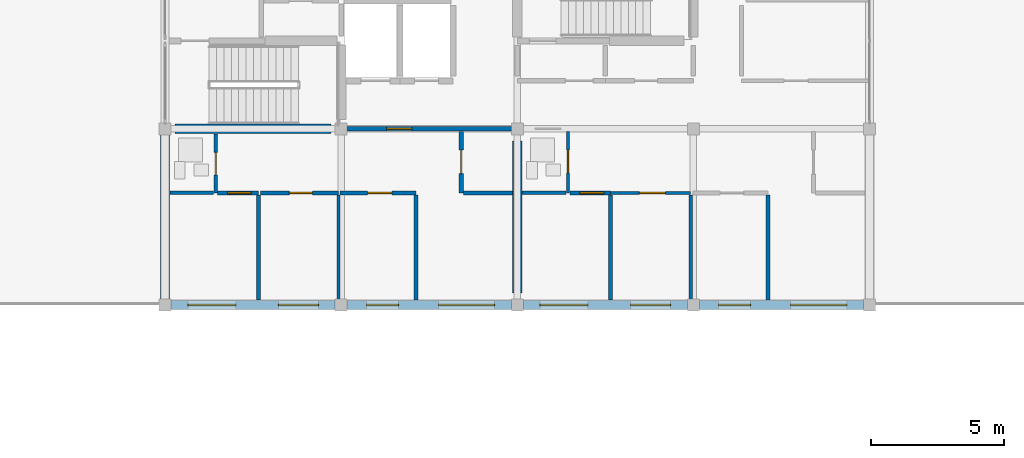
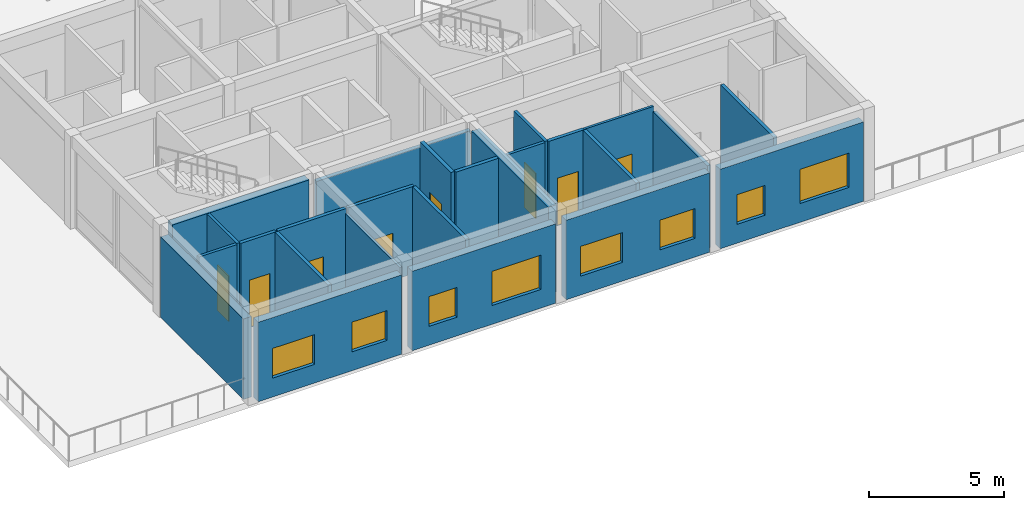
# One storey, part 63 of 92: 25 walls, 9 doors, 8 windows, 17 openings.
"""IFC4 building model written with IfcOpenShell, lengths in metres."""

from ifc_helpers import new_model, si_unit, direction, frame, frame_2d, origin, place, context, subcontext, project, spatial, rectangle, extrude, material, layer, layer_set, type_object, element, fill, save


model = new_model("IFC4")

# Units and contexts
model_context = context("Model", 3, precision=1e-05, world=origin(), true_north=direction((0.0, 1.0)))
body_context = subcontext(model_context, "Body", "Model", "MODEL_VIEW")
ifc_project = project(units=[si_unit("LENGTHUNIT", "METRE"), si_unit("AREAUNIT", "SQUARE_METRE"), si_unit("VOLUMEUNIT", "CUBIC_METRE"), si_unit("PLANEANGLEUNIT", "RADIAN"), si_unit("MASSUNIT", "GRAM", prefix="KILO")], contexts=[model_context])

# Site, building, storey
site_placement = place(None, origin())
site = spatial("IfcSite", under=ifc_project, at=site_placement, CompositionType="ELEMENT")
building_placement = place(site_placement, origin())
building = spatial("IfcBuilding", under=site, at=building_placement, Name="Kernevlak Ridge Housing Community", CompositionType="ELEMENT")
storey_placement = place(building_placement, frame((0.0, 0.0, 4.199951171875)))
storey = spatial("IfcBuildingStorey", under=building, at=storey_placement, Name="L01", CompositionType="ELEMENT", Elevation=4.199951171875)

# Wall, openings, windows
ifc_material_1 = material(Name="Concrete block masonry M10", Category="masonry")
ifc_layer_1 = layer(ifc_material_1, 0.340087890625, Name="Concrete block masonry M10")
ifc_layer_set_1 = layer_set([ifc_layer_1], Name="Concrete block masonry M10")
wall_type_1 = type_object("IfcWallType", Name="EW-04", PredefinedType="STANDARD", material=ifc_layer_set_1)
wall_1_placement = place(storey_placement, frame((15.824951171875, 15.60009765625, 0.0), z_axis=(0.0, 0.0, 1.0), x_axis=(1.0, 0.0, 0.0)))
wall_1 = element("IfcWall", 1, at=wall_1_placement, inside=storey, type_object=wall_type_1, Name="Exterior wall EW-04 L01 727", PredefinedType="STANDARD", context=body_context, shape_type="SweptSolid", body=[
    extrude(rectangle(XDim=6.150146484375, YDim=0.340087890625, at=frame_2d((3.0751953125, 0.0))), origin(), (0.0, 0.0, 1.0), 3.60009765625),
])
opening_1_placement = place(wall_1_placement, frame((0.625, 0.0, 0.85009765625)))
opening_1 = element("IfcOpeningElement", 2, at=opening_1_placement, cuts=wall_1, Name="Opening WT-03", PredefinedType="OPENING", context=body_context, shape_type="SweptSolid", body=[
    extrude(rectangle(XDim=1.800048828125, YDim=1.35009765625, at=frame_2d((0.89990234375, 0.675048828125))), frame((0.0, 0.179931640625, 0.0), z_axis=(0.0, -1.0, 0.0), x_axis=(1.0, 0.0, 0.0)), (0.0, 0.0, 1.0), 0.360107421875),
])
opening_2_placement = place(wall_1_placement, frame((4.02490234375, 0.0, 0.85009765625)))
opening_2 = element("IfcOpeningElement", 3, at=opening_2_placement, cuts=wall_1, Name="Opening WT-02", PredefinedType="OPENING", context=body_context, shape_type="SweptSolid", body=[
    extrude(rectangle(XDim=1.5, YDim=1.35009765625, at=frame_2d((0.75, 0.675048828125))), frame((0.0, 0.179931640625, 0.0), z_axis=(0.0, -1.0, 0.0), x_axis=(1.0, 0.0, 0.0)), (0.0, 0.0, 1.0), 0.360107421875),
])
ifc_material_2 = material(Name="Aluminium EN AW-6060 anodised and laminated glass", Category="aluminium")
window_type_1 = type_object("IfcWindowType", Name="WT-02", PartitioningType="SINGLE_PANEL", PredefinedType="WINDOW", material=ifc_material_2)
window_1_placement = place(opening_2_placement, origin())
window_1 = element("IfcWindow", 4, at=window_1_placement, inside=storey, type_object=window_type_1, Name="Window WT-02 L01 591", OverallHeight=1.35009765625, OverallWidth=1.5, PartitioningType="SINGLE_PANEL", PredefinedType="WINDOW", context=body_context, shape_type="SweptSolid", body=[
    extrude(rectangle(XDim=1.5, YDim=1.35009765625, at=frame_2d((0.75, 0.675048828125))), frame((0.0, 0.030029296875, 0.0), z_axis=(0.0, -1.0, 0.0), x_axis=(1.0, 0.0, 0.0)), (0.0, 0.0, 1.0), 0.06005859375),
])
fill(opening_2, window_1)
window_type_2 = type_object("IfcWindowType", Name="WT-03", PartitioningType="SINGLE_PANEL", PredefinedType="WINDOW", material=ifc_material_2)
window_2_placement = place(opening_1_placement, origin())
window_2 = element("IfcWindow", 5, at=window_2_placement, inside=storey, type_object=window_type_2, Name="Window WT-03 L01 590", OverallHeight=1.35009765625, OverallWidth=1.800048828125, PartitioningType="SINGLE_PANEL", PredefinedType="WINDOW", context=body_context, shape_type="SweptSolid", body=[
    extrude(rectangle(XDim=1.800048828125, YDim=1.35009765625, at=frame_2d((0.89990234375, 0.675048828125))), frame((0.0, 0.030029296875, 0.0), z_axis=(0.0, -1.0, 0.0), x_axis=(1.0, 0.0, 0.0)), (0.0, 0.0, 1.0), 0.06005859375),
])
fill(opening_1, window_2)

wall_2_placement = place(storey_placement, frame((22.425048828125, 15.60009765625, 0.0), z_axis=(0.0, 0.0, 1.0), x_axis=(1.0, 0.0, 0.0)))
wall_2 = element("IfcWall", 6, at=wall_2_placement, inside=storey, type_object=wall_type_1, Name="Exterior wall EW-04 L01 728", PredefinedType="STANDARD", context=body_context, shape_type="SweptSolid", body=[
    extrude(rectangle(XDim=6.14990234375, YDim=0.340087890625, at=frame_2d((3.074951171875, 0.0))), origin(), (0.0, 0.0, 1.0), 3.60009765625),
])
opening_3_placement = place(wall_2_placement, frame((0.72509765625, 0.0, 0.85009765625)))
opening_3 = element("IfcOpeningElement", 7, at=opening_3_placement, cuts=wall_2, Name="Opening WT-01", PredefinedType="OPENING", context=body_context, shape_type="SweptSolid", body=[
    extrude(rectangle(XDim=1.199951171875, YDim=1.35009765625, at=frame_2d((0.60009765625, 0.675048828125))), frame((0.0, 0.179931640625, 0.0), z_axis=(0.0, -1.0, 0.0), x_axis=(1.0, 0.0, 0.0)), (0.0, 0.0, 1.0), 0.360107421875),
])
opening_4_placement = place(wall_2_placement, frame((3.425048828125, 0.0, 0.85009765625)))
opening_4 = element("IfcOpeningElement", 8, at=opening_4_placement, cuts=wall_2, Name="Opening WT-05", PredefinedType="OPENING", context=body_context, shape_type="SweptSolid", body=[
    extrude(rectangle(XDim=2.10009765625, YDim=1.550048828125, at=frame_2d((1.050048828125, 0.77490234375))), frame((0.0, 0.179931640625, 0.0), z_axis=(0.0, -1.0, 0.0), x_axis=(1.0, 0.0, 0.0)), (0.0, 0.0, 1.0), 0.360107421875),
])
window_type_3 = type_object("IfcWindowType", Name="WT-01", PartitioningType="SINGLE_PANEL", PredefinedType="WINDOW", material=ifc_material_2)
window_3_placement = place(opening_3_placement, origin())
window_3 = element("IfcWindow", 9, at=window_3_placement, inside=storey, type_object=window_type_3, Name="Window WT-01 L01 592", OverallHeight=1.35009765625, OverallWidth=1.199951171875, PartitioningType="SINGLE_PANEL", PredefinedType="WINDOW", context=body_context, shape_type="SweptSolid", body=[
    extrude(rectangle(XDim=1.199951171875, YDim=1.35009765625, at=frame_2d((0.60009765625, 0.675048828125))), frame((0.0, 0.030029296875, 0.0), z_axis=(0.0, -1.0, 0.0), x_axis=(1.0, 0.0, 0.0)), (0.0, 0.0, 1.0), 0.06005859375),
])
fill(opening_3, window_3)
window_type_4 = type_object("IfcWindowType", Name="WT-05", PartitioningType="SINGLE_PANEL", PredefinedType="WINDOW", material=ifc_material_2)
window_4_placement = place(opening_4_placement, origin())
window_4 = element("IfcWindow", 10, at=window_4_placement, inside=storey, type_object=window_type_4, Name="Window WT-05 L01 593", OverallHeight=1.550048828125, OverallWidth=2.10009765625, PartitioningType="SINGLE_PANEL", PredefinedType="WINDOW", context=body_context, shape_type="SweptSolid", body=[
    extrude(rectangle(XDim=2.10009765625, YDim=1.550048828125, at=frame_2d((1.050048828125, 0.77490234375))), frame((0.0, 0.030029296875, 0.0), z_axis=(0.0, -1.0, 0.0), x_axis=(1.0, 0.0, 0.0)), (0.0, 0.0, 1.0), 0.06005859375),
])
fill(opening_4, window_4)

wall_3_placement = place(storey_placement, frame((29.02490234375, 15.60009765625, 0.0), z_axis=(0.0, 0.0, 1.0), x_axis=(1.0, 0.0, 0.0)))
wall_3 = element("IfcWall", 11, at=wall_3_placement, inside=storey, type_object=wall_type_1, Name="Exterior wall EW-04 L01 729", PredefinedType="STANDARD", context=body_context, shape_type="SweptSolid", body=[
    extrude(rectangle(XDim=6.150146484375, YDim=0.340087890625, at=frame_2d((3.0751953125, 0.0))), origin(), (0.0, 0.0, 1.0), 3.60009765625),
])
opening_5_placement = place(wall_3_placement, frame((0.625, 0.0, 0.85009765625)))
opening_5 = element("IfcOpeningElement", 12, at=opening_5_placement, cuts=wall_3, Name="Opening WT-03", PredefinedType="OPENING", context=body_context, shape_type="SweptSolid", body=[
    extrude(rectangle(XDim=1.800048828125, YDim=1.35009765625, at=frame_2d((0.89990234375, 0.675048828125))), frame((0.0, 0.179931640625, 0.0), z_axis=(0.0, -1.0, 0.0), x_axis=(1.0, 0.0, 0.0)), (0.0, 0.0, 1.0), 0.360107421875),
])
opening_6_placement = place(wall_3_placement, frame((4.02490234375, 0.0, 0.85009765625)))
opening_6 = element("IfcOpeningElement", 13, at=opening_6_placement, cuts=wall_3, Name="Opening WT-02", PredefinedType="OPENING", context=body_context, shape_type="SweptSolid", body=[
    extrude(rectangle(XDim=1.5, YDim=1.35009765625, at=frame_2d((0.75, 0.675048828125))), frame((0.0, 0.179931640625, 0.0), z_axis=(0.0, -1.0, 0.0), x_axis=(1.0, 0.0, 0.0)), (0.0, 0.0, 1.0), 0.360107421875),
])
window_5_placement = place(opening_6_placement, origin())
window_5 = element("IfcWindow", 14, at=window_5_placement, inside=storey, type_object=window_type_1, Name="Window WT-02 L01 595", OverallHeight=1.35009765625, OverallWidth=1.5, PartitioningType="SINGLE_PANEL", PredefinedType="WINDOW", context=body_context, shape_type="SweptSolid", body=[
    extrude(rectangle(XDim=1.5, YDim=1.35009765625, at=frame_2d((0.75, 0.675048828125))), frame((0.0, 0.030029296875, 0.0), z_axis=(0.0, -1.0, 0.0), x_axis=(1.0, 0.0, 0.0)), (0.0, 0.0, 1.0), 0.06005859375),
])
fill(opening_6, window_5)
window_6_placement = place(opening_5_placement, origin())
window_6 = element("IfcWindow", 15, at=window_6_placement, inside=storey, type_object=window_type_2, Name="Window WT-03 L01 594", OverallHeight=1.35009765625, OverallWidth=1.800048828125, PartitioningType="SINGLE_PANEL", PredefinedType="WINDOW", context=body_context, shape_type="SweptSolid", body=[
    extrude(rectangle(XDim=1.800048828125, YDim=1.35009765625, at=frame_2d((0.89990234375, 0.675048828125))), frame((0.0, 0.030029296875, 0.0), z_axis=(0.0, -1.0, 0.0), x_axis=(1.0, 0.0, 0.0)), (0.0, 0.0, 1.0), 0.06005859375),
])
fill(opening_5, window_6)

wall_4_placement = place(storey_placement, frame((35.625, 15.60009765625, 0.0), z_axis=(0.0, 0.0, 1.0), x_axis=(1.0, 0.0, 0.0)))
wall_4 = element("IfcWall", 16, at=wall_4_placement, inside=storey, type_object=wall_type_1, Name="Exterior wall EW-04 L01 730", PredefinedType="STANDARD", context=body_context, shape_type="SweptSolid", body=[
    extrude(rectangle(XDim=6.14990234375, YDim=0.340087890625, at=frame_2d((3.074951171875, 0.0))), origin(), (0.0, 0.0, 1.0), 3.60009765625),
])
opening_7_placement = place(wall_4_placement, frame((0.72509765625, 0.0, 0.85009765625)))
opening_7 = element("IfcOpeningElement", 17, at=opening_7_placement, cuts=wall_4, Name="Opening WT-01", PredefinedType="OPENING", context=body_context, shape_type="SweptSolid", body=[
    extrude(rectangle(XDim=1.199951171875, YDim=1.35009765625, at=frame_2d((0.60009765625, 0.675048828125))), frame((0.0, 0.179931640625, 0.0), z_axis=(0.0, -1.0, 0.0), x_axis=(1.0, 0.0, 0.0)), (0.0, 0.0, 1.0), 0.360107421875),
])
opening_8_placement = place(wall_4_placement, frame((3.425048828125, 0.0, 0.85009765625)))
opening_8 = element("IfcOpeningElement", 18, at=opening_8_placement, cuts=wall_4, Name="Opening WT-05", PredefinedType="OPENING", context=body_context, shape_type="SweptSolid", body=[
    extrude(rectangle(XDim=2.10009765625, YDim=1.550048828125, at=frame_2d((1.050048828125, 0.77490234375))), frame((0.0, 0.179931640625, 0.0), z_axis=(0.0, -1.0, 0.0), x_axis=(1.0, 0.0, 0.0)), (0.0, 0.0, 1.0), 0.360107421875),
])
window_7_placement = place(opening_7_placement, origin())
window_7 = element("IfcWindow", 19, at=window_7_placement, inside=storey, type_object=window_type_3, Name="Window WT-01 L01 596", OverallHeight=1.35009765625, OverallWidth=1.199951171875, PartitioningType="SINGLE_PANEL", PredefinedType="WINDOW", context=body_context, shape_type="SweptSolid", body=[
    extrude(rectangle(XDim=1.199951171875, YDim=1.35009765625, at=frame_2d((0.60009765625, 0.675048828125))), frame((0.0, 0.030029296875, 0.0), z_axis=(0.0, -1.0, 0.0), x_axis=(1.0, 0.0, 0.0)), (0.0, 0.0, 1.0), 0.06005859375),
])
fill(opening_7, window_7)
window_8_placement = place(opening_8_placement, origin())
window_8 = element("IfcWindow", 20, at=window_8_placement, inside=storey, type_object=window_type_4, Name="Window WT-05 L01 597", OverallHeight=1.550048828125, OverallWidth=2.10009765625, PartitioningType="SINGLE_PANEL", PredefinedType="WINDOW", context=body_context, shape_type="SweptSolid", body=[
    extrude(rectangle(XDim=2.10009765625, YDim=1.550048828125, at=frame_2d((1.050048828125, 0.77490234375))), frame((0.0, 0.030029296875, 0.0), z_axis=(0.0, -1.0, 0.0), x_axis=(1.0, 0.0, 0.0)), (0.0, 0.0, 1.0), 0.06005859375),
])
fill(opening_8, window_8)

# Wall
wall_5_placement = place(storey_placement, frame((15.60009765625, 15.824951171875, 0.0), z_axis=(0.0, 0.0, 1.0), x_axis=(0.0, 1.0, 0.0)))
element("IfcWall", 21, at=wall_5_placement, inside=storey, type_object=wall_type_1, Name="Exterior wall EW-04 L01 735", PredefinedType="STANDARD", context=body_context, shape_type="SweptSolid", body=[
    extrude(rectangle(XDim=6.150146484375, YDim=0.340087890625, at=frame_2d((3.0751953125, 0.0))), origin(), (0.0, 0.0, 1.0), 3.650146484375),
])

# Wall, opening, door
ifc_layer_2 = layer(ifc_material_1, 0.175048828125, Name="Concrete block masonry M10")
ifc_layer_set_2 = layer_set([ifc_layer_2], Name="Concrete block masonry M10")
wall_type_2 = type_object("IfcWallType", Name="PW-02", PredefinedType="PARTITIONING", material=ifc_layer_set_2)
wall_6_placement = place(storey_placement, frame((22.199951171875, 22.199951171875, 0.0), z_axis=(0.0, 0.0, 1.0), x_axis=(1.0, 0.0, 0.0)))
wall_6 = element("IfcWall", 22, at=wall_6_placement, inside=storey, type_object=wall_type_2, Name="Interior wall PW-02 WAL-INT-L01-2993", PredefinedType="PARTITIONING", context=body_context, shape_type="SweptSolid", body=[
    extrude(rectangle(XDim=6.60009765625, YDim=0.175048828125, at=frame_2d((3.300048828125, 0.0))), origin(), (0.0, 0.0, 1.0), 3.699951171875),
])
opening_9_placement = place(wall_6_placement, frame((1.699951171875, 0.0, 0.0)))
opening_9 = element("IfcOpeningElement", 23, at=opening_9_placement, cuts=wall_6, Name="Opening E516", PredefinedType="OPENING", context=body_context, shape_type="SweptSolid", body=[
    extrude(rectangle(XDim=0.949951171875, YDim=2.159912109375, at=frame_2d((0.47509765625, 1.080078125))), frame((0.0, 0.097412109375, 0.0), z_axis=(0.0, -1.0, 0.0), x_axis=(1.0, 0.0, 0.0)), (0.0, 0.0, 1.0), 0.195068359375),
])
ifc_material_3 = material(Name="Hardwood timber solid-core fire leaf", Category="wood")
door_type_1 = type_object("IfcDoorType", Name="DT-02", OperationType="NOTDEFINED", PredefinedType="DOOR", material=ifc_material_3)
door_1_placement = place(opening_9_placement, origin())
door_1 = element("IfcDoor", 24, at=door_1_placement, inside=storey, type_object=door_type_1, Name="Flat D0111 entrance fire door E516", OperationType="SINGLE_SWING_LEFT", OverallHeight=2.159912109375, OverallWidth=0.949951171875, PredefinedType="DOOR", context=body_context, shape_type="SweptSolid", body=[
    extrude(rectangle(XDim=0.949951171875, YDim=2.159912109375, at=frame_2d((0.47509765625, 1.080078125))), frame((0.0, 0.02490234375, 0.0), z_axis=(0.0, -1.0, 0.0), x_axis=(1.0, 0.0, 0.0)), (0.0, 0.0, 1.0), 0.050048828125),
])
fill(opening_9, door_1)

ifc_layer_3 = layer(ifc_material_1, 0.14501953125, Name="Concrete block masonry M10")
ifc_layer_set_3 = layer_set([ifc_layer_3], Name="Concrete block masonry M10")
wall_type_3 = type_object("IfcWallType", Name="PW-03", PredefinedType="PARTITIONING", material=ifc_layer_set_3)
wall_7_placement = place(storey_placement, frame((17.572509765625, 19.800048828125, 0.0), z_axis=(0.0, 0.0, 1.0), x_axis=(1.0, 0.0, 0.0)))
wall_7 = element("IfcWall", 25, at=wall_7_placement, inside=storey, type_object=wall_type_3, Name="Interior wall PW-03 WAL-INT-L01-2998", PredefinedType="PARTITIONING", context=body_context, shape_type="SweptSolid", body=[
    extrude(rectangle(XDim=1.527587890625, YDim=0.14501953125, at=frame_2d((0.763671875, 0.0))), origin(), (0.0, 0.0, 1.0), 3.9599609375),
])
opening_10_placement = place(wall_7_placement, frame((0.375, 0.0, 0.0)))
opening_10 = element("IfcOpeningElement", 26, at=opening_10_placement, cuts=wall_7, Name="Opening E519", PredefinedType="OPENING", context=body_context, shape_type="SweptSolid", body=[
    extrude(rectangle(XDim=0.8798828125, YDim=2.159912109375, at=frame_2d((0.43994140625, 1.080078125))), frame((0.0, 0.08251953125, 0.0), z_axis=(0.0, -1.0, 0.0), x_axis=(1.0, 0.0, 0.0)), (0.0, 0.0, 1.0), 0.1650390625),
])
ifc_material_4 = material(Name="Hardwood timber leaf", Category="wood")
door_type_2 = type_object("IfcDoorType", Name="DT-26", OperationType="NOTDEFINED", PredefinedType="DOOR", material=ifc_material_4)
door_2_placement = place(opening_10_placement, origin())
door_2 = element("IfcDoor", 27, at=door_2_placement, inside=storey, type_object=door_type_2, Name="Flat D0111 bedroom door E519", OperationType="SINGLE_SWING_RIGHT", OverallHeight=2.159912109375, OverallWidth=0.8798828125, PredefinedType="DOOR", context=body_context, shape_type="SweptSolid", body=[
    extrude(rectangle(XDim=0.8798828125, YDim=2.159912109375, at=frame_2d((0.43994140625, 1.080078125))), frame((0.0, 0.02490234375, 0.0), z_axis=(0.0, -1.0, 0.0), x_axis=(1.0, 0.0, 0.0)), (0.0, 0.0, 1.0), 0.050048828125),
])
fill(opening_10, door_2)

# Wall
wall_8_placement = place(storey_placement, frame((19.10009765625, 19.717529296875, 0.0), z_axis=(0.0, 0.0, 1.0), x_axis=(0.0, -1.0, 0.0)))
element("IfcWall", 28, at=wall_8_placement, inside=storey, type_object=wall_type_3, Name="Interior wall PW-03 WAL-INT-L01-2999", PredefinedType="PARTITIONING", context=body_context, shape_type="SweptSolid", body=[
    extrude(rectangle(XDim=3.9375, YDim=0.14501953125, at=frame_2d((1.96875, 0.0))), origin(), (0.0, 0.0, 1.0), 3.9599609375),
])

# Wall, opening, door
wall_9_placement = place(storey_placement, frame((19.1826171875, 19.800048828125, 0.0), z_axis=(0.0, 0.0, 1.0), x_axis=(1.0, 0.0, 0.0)))
wall_9 = element("IfcWall", 29, at=wall_9_placement, inside=storey, type_object=wall_type_3, Name="Interior wall PW-03 WAL-INT-L01-3000", PredefinedType="PARTITIONING", context=body_context, shape_type="SweptSolid", body=[
    extrude(rectangle(XDim=2.91748046875, YDim=0.14501953125, at=frame_2d((1.458740234375, 0.0))), origin(), (0.0, 0.0, 1.0), 3.9599609375),
])
opening_11_placement = place(wall_9_placement, frame((1.074951171875, 0.0, 0.0)))
opening_11 = element("IfcOpeningElement", 30, at=opening_11_placement, cuts=wall_9, Name="Opening E520", PredefinedType="OPENING", context=body_context, shape_type="SweptSolid", body=[
    extrude(rectangle(XDim=0.860107421875, YDim=2.1201171875, at=frame_2d((0.43017578125, 1.06005859375))), frame((0.0, 0.08251953125, 0.0), z_axis=(0.0, -1.0, 0.0), x_axis=(1.0, 0.0, 0.0)), (0.0, 0.0, 1.0), 0.1650390625),
])
door_type_3 = type_object("IfcDoorType", Name="DT-28", OperationType="NOTDEFINED", PredefinedType="DOOR", material=ifc_material_4)
door_3_placement = place(opening_11_placement, origin())
door_3 = element("IfcDoor", 31, at=door_3_placement, inside=storey, type_object=door_type_3, Name="Flat D0111 bedroom door E520", OperationType="SINGLE_SWING_LEFT", OverallHeight=2.1201171875, OverallWidth=0.860107421875, PredefinedType="DOOR", context=body_context, shape_type="SweptSolid", body=[
    extrude(rectangle(XDim=0.860107421875, YDim=2.1201171875, at=frame_2d((0.43017578125, 1.06005859375))), frame((0.0, 0.02490234375, 0.0), z_axis=(0.0, -1.0, 0.0), x_axis=(1.0, 0.0, 0.0)), (0.0, 0.0, 1.0), 0.050048828125),
])
fill(opening_11, door_3)

wall_10_placement = place(storey_placement, frame((22.16259765625, 19.800048828125, 0.0), z_axis=(0.0, 0.0, 1.0), x_axis=(1.0, 0.0, 0.0)))
wall_10 = element("IfcWall", 32, at=wall_10_placement, inside=storey, type_object=wall_type_3, Name="Interior wall PW-03 WAL-INT-L01-3002", PredefinedType="PARTITIONING", context=body_context, shape_type="SweptSolid", body=[
    extrude(rectangle(XDim=2.83740234375, YDim=0.14501953125, at=frame_2d((1.418701171875, 0.0))), origin(), (0.0, 0.0, 1.0), 3.9599609375),
])
opening_12_placement = place(wall_10_placement, frame((1.02490234375, 0.0, 0.0)))
opening_12 = element("IfcOpeningElement", 33, at=opening_12_placement, cuts=wall_10, Name="Opening E521", PredefinedType="OPENING", context=body_context, shape_type="SweptSolid", body=[
    extrude(rectangle(XDim=0.909912109375, YDim=2.139892578125, at=frame_2d((0.455078125, 1.06982421875))), frame((0.0, 0.08251953125, 0.0), z_axis=(0.0, -1.0, 0.0), x_axis=(1.0, 0.0, 0.0)), (0.0, 0.0, 1.0), 0.1650390625),
])
door_type_4 = type_object("IfcDoorType", Name="DT-31", OperationType="NOTDEFINED", PredefinedType="DOOR", material=ifc_material_4)
door_4_placement = place(opening_12_placement, origin())
door_4 = element("IfcDoor", 34, at=door_4_placement, inside=storey, type_object=door_type_4, Name="Flat D0111 bedroom door E521", OperationType="SINGLE_SWING_RIGHT", OverallHeight=2.139892578125, OverallWidth=0.909912109375, PredefinedType="DOOR", context=body_context, shape_type="SweptSolid", body=[
    extrude(rectangle(XDim=0.909912109375, YDim=2.139892578125, at=frame_2d((0.455078125, 1.06982421875))), frame((0.0, 0.02490234375, 0.0), z_axis=(0.0, -1.0, 0.0), x_axis=(1.0, 0.0, 0.0)), (0.0, 0.0, 1.0), 0.050048828125),
])
fill(opening_12, door_4)

# Wall
wall_11_placement = place(storey_placement, frame((25.0, 19.717529296875, 0.0), z_axis=(0.0, 0.0, 1.0), x_axis=(0.0, -1.0, 0.0)))
element("IfcWall", 35, at=wall_11_placement, inside=storey, type_object=wall_type_3, Name="Interior wall PW-03 WAL-INT-L01-3003", PredefinedType="PARTITIONING", context=body_context, shape_type="SweptSolid", body=[
    extrude(rectangle(XDim=3.9375, YDim=0.14501953125, at=frame_2d((1.96875, 0.0))), origin(), (0.0, 0.0, 1.0), 3.9599609375),
])

# Wall, opening, door
wall_12_placement = place(storey_placement, frame((30.7724609375, 19.800048828125, 0.0), z_axis=(0.0, 0.0, 1.0), x_axis=(1.0, 0.0, 0.0)))
wall_12 = element("IfcWall", 36, at=wall_12_placement, inside=storey, type_object=wall_type_3, Name="Interior wall PW-03 WAL-INT-L01-3009", PredefinedType="PARTITIONING", context=body_context, shape_type="SweptSolid", body=[
    extrude(rectangle(XDim=1.527587890625, YDim=0.14501953125, at=frame_2d((0.763671875, 0.0))), origin(), (0.0, 0.0, 1.0), 3.9599609375),
])
opening_13_placement = place(wall_12_placement, frame((0.375, 0.0, 0.0)))
opening_13 = element("IfcOpeningElement", 37, at=opening_13_placement, cuts=wall_12, Name="Opening E525", PredefinedType="OPENING", context=body_context, shape_type="SweptSolid", body=[
    extrude(rectangle(XDim=0.89990234375, YDim=2.159912109375, at=frame_2d((0.449951171875, 1.080078125))), frame((0.0, 0.08251953125, 0.0), z_axis=(0.0, -1.0, 0.0), x_axis=(1.0, 0.0, 0.0)), (0.0, 0.0, 1.0), 0.1650390625),
])
door_type_5 = type_object("IfcDoorType", Name="DT-22", OperationType="NOTDEFINED", PredefinedType="DOOR", material=ifc_material_4)
door_5_placement = place(opening_13_placement, origin())
door_5 = element("IfcDoor", 38, at=door_5_placement, inside=storey, type_object=door_type_5, Name="Flat D0112 bedroom door E525", OperationType="SINGLE_SWING_RIGHT", OverallHeight=2.159912109375, OverallWidth=0.89990234375, PredefinedType="DOOR", context=body_context, shape_type="SweptSolid", body=[
    extrude(rectangle(XDim=0.89990234375, YDim=2.159912109375, at=frame_2d((0.449951171875, 1.080078125))), frame((0.0, 0.02490234375, 0.0), z_axis=(0.0, -1.0, 0.0), x_axis=(1.0, 0.0, 0.0)), (0.0, 0.0, 1.0), 0.050048828125),
])
fill(opening_13, door_5)

# Walls
wall_13_placement = place(storey_placement, frame((32.300048828125, 19.717529296875, 0.0), z_axis=(0.0, 0.0, 1.0), x_axis=(0.0, -1.0, 0.0)))
element("IfcWall", 39, at=wall_13_placement, inside=storey, type_object=wall_type_3, Name="Interior wall PW-03 WAL-INT-L01-3010", PredefinedType="PARTITIONING", context=body_context, shape_type="SweptSolid", body=[
    extrude(rectangle(XDim=3.9375, YDim=0.14501953125, at=frame_2d((1.96875, 0.0))), origin(), (0.0, 0.0, 1.0), 3.9599609375),
])
wall_14_placement = place(storey_placement, frame((35.300048828125, 19.719970703125, 0.0), z_axis=(0.0, 0.0, 1.0), x_axis=(0.0, -1.0, 0.0)))
element("IfcWall", 40, at=wall_14_placement, inside=storey, type_object=wall_type_3, Name="Interior wall PW-03 WAL-INT-L01-3012", PredefinedType="PARTITIONING", context=body_context, shape_type="SweptSolid", body=[
    extrude(rectangle(XDim=4.0400390625, YDim=0.14501953125, at=frame_2d((2.02001953125, 0.0))), origin(), (0.0, 0.0, 1.0), 3.75),
])
wall_15_placement = place(storey_placement, frame((38.199951171875, 19.717529296875, 0.0), z_axis=(0.0, 0.0, 1.0), x_axis=(0.0, -1.0, 0.0)))
element("IfcWall", 41, at=wall_15_placement, inside=storey, type_object=wall_type_3, Name="Interior wall PW-03 WAL-INT-L01-3014", PredefinedType="PARTITIONING", context=body_context, shape_type="SweptSolid", body=[
    extrude(rectangle(XDim=3.9375, YDim=0.14501953125, at=frame_2d((1.96875, 0.0))), origin(), (0.0, 0.0, 1.0), 3.9599609375),
])

# Wall, opening, door
ifc_material_5 = material(Name="Gypsum plasterboard EN 520", Category="gypsum")
ifc_layer_4 = layer(ifc_material_5, 0.125, Name="Gypsum plasterboard EN 520")
ifc_layer_set_4 = layer_set([ifc_layer_4], Name="Gypsum plasterboard EN 520")
wall_type_4 = type_object("IfcWallType", Name="PW-04", PredefinedType="PARTITIONING", material=ifc_layer_set_4)
wall_16_placement = place(storey_placement, frame((17.5, 22.014892578125, 0.0), z_axis=(0.0, 0.0, 1.0), x_axis=(0.0, -1.0, 0.0)))
wall_16 = element("IfcWall", 42, at=wall_16_placement, inside=storey, type_object=wall_type_4, Name="Interior wall PW-04 WAL-INT-L01-2994", PredefinedType="PARTITIONING", context=body_context, shape_type="SweptSolid", body=[
    extrude(rectangle(XDim=2.21484375, YDim=0.125, at=frame_2d((1.107421875, 0.0))), origin(), (0.0, 0.0, 1.0), 3.9599609375),
])
opening_14_placement = place(wall_16_placement, frame((0.699951171875, 0.0, 0.0)))
opening_14 = element("IfcOpeningElement", 43, at=opening_14_placement, cuts=wall_16, Name="Opening E517", PredefinedType="OPENING", context=body_context, shape_type="SweptSolid", body=[
    extrude(rectangle(XDim=0.840087890625, YDim=2.06005859375, at=frame_2d((0.419921875, 1.030029296875))), frame((0.0, 0.072509765625, 0.0), z_axis=(0.0, -1.0, 0.0), x_axis=(1.0, 0.0, 0.0)), (0.0, 0.0, 1.0), 0.14501953125),
])
ifc_material_6 = material(Name="Hardwood timber moisture-resistant leaf", Category="wood")
door_type_6 = type_object("IfcDoorType", Name="DT-27", OperationType="NOTDEFINED", PredefinedType="DOOR", material=ifc_material_6)
door_6_placement = place(opening_14_placement, origin())
door_6 = element("IfcDoor", 44, at=door_6_placement, inside=storey, type_object=door_type_6, Name="Flat D0111 bathroom door E517", OperationType="SINGLE_SWING_RIGHT", OverallHeight=2.06005859375, OverallWidth=0.840087890625, PredefinedType="DOOR", context=body_context, shape_type="SweptSolid", body=[
    extrude(rectangle(XDim=0.840087890625, YDim=2.06005859375, at=frame_2d((0.419921875, 1.030029296875))), frame((0.0, 0.02490234375, 0.0), z_axis=(0.0, -1.0, 0.0), x_axis=(1.0, 0.0, 0.0)), (0.0, 0.0, 1.0), 0.050048828125),
])
fill(opening_14, door_6)

# Wall
wall_17_placement = place(storey_placement, frame((15.780029296875, 19.800048828125, 0.0), z_axis=(0.0, 0.0, 1.0), x_axis=(1.0, 0.0, 0.0)))
element("IfcWall", 45, at=wall_17_placement, inside=storey, type_object=wall_type_4, Name="Interior wall PW-04 WAL-INT-L01-2995", PredefinedType="PARTITIONING", context=body_context, shape_type="SweptSolid", body=[
    extrude(rectangle(XDim=1.639892578125, YDim=0.125, at=frame_2d((0.81982421875, 0.0))), origin(), (0.0, 0.0, 1.0), 3.9599609375),
])

# Wall, opening, door
wall_18_placement = place(storey_placement, frame((30.699951171875, 22.1025390625, 0.0), z_axis=(0.0, 0.0, 1.0), x_axis=(0.0, -1.0, 0.0)))
wall_18 = element("IfcWall", 46, at=wall_18_placement, inside=storey, type_object=wall_type_4, Name="Interior wall PW-04 WAL-INT-L01-3005", PredefinedType="PARTITIONING", context=body_context, shape_type="SweptSolid", body=[
    extrude(rectangle(XDim=2.302490234375, YDim=0.125, at=frame_2d((1.1513671875, 0.0))), origin(), (0.0, 0.0, 1.0), 3.9599609375),
])
opening_15_placement = place(wall_18_placement, frame((0.699951171875, 0.0, 0.0)))
opening_15 = element("IfcOpeningElement", 47, at=opening_15_placement, cuts=wall_18, Name="Opening E523", PredefinedType="OPENING", context=body_context, shape_type="SweptSolid", body=[
    extrude(rectangle(XDim=0.85009765625, YDim=2.0400390625, at=frame_2d((0.425048828125, 1.02001953125))), frame((0.0, 0.072509765625, 0.0), z_axis=(0.0, -1.0, 0.0), x_axis=(1.0, 0.0, 0.0)), (0.0, 0.0, 1.0), 0.14501953125),
])
door_type_7 = type_object("IfcDoorType", Name="DT-04", OperationType="NOTDEFINED", PredefinedType="DOOR", material=ifc_material_6)
door_7_placement = place(opening_15_placement, origin())
door_7 = element("IfcDoor", 48, at=door_7_placement, inside=storey, type_object=door_type_7, Name="Flat D0112 bathroom door E523", OperationType="SINGLE_SWING_RIGHT", OverallHeight=2.0400390625, OverallWidth=0.85009765625, PredefinedType="DOOR", context=body_context, shape_type="SweptSolid", body=[
    extrude(rectangle(XDim=0.85009765625, YDim=2.0400390625, at=frame_2d((0.425048828125, 1.02001953125))), frame((0.0, 0.02490234375, 0.0), z_axis=(0.0, -1.0, 0.0), x_axis=(1.0, 0.0, 0.0)), (0.0, 0.0, 1.0), 0.050048828125),
])
fill(opening_15, door_7)

# Wall
wall_19_placement = place(storey_placement, frame((28.985107421875, 19.800048828125, 0.0), z_axis=(0.0, 0.0, 1.0), x_axis=(1.0, 0.0, 0.0)))
element("IfcWall", 49, at=wall_19_placement, inside=storey, type_object=wall_type_4, Name="Interior wall PW-04 WAL-INT-L01-3006", PredefinedType="PARTITIONING", context=body_context, shape_type="SweptSolid", body=[
    extrude(rectangle(XDim=1.635009765625, YDim=0.125, at=frame_2d((0.8173828125, 0.0))), origin(), (0.0, 0.0, 1.0), 3.9599609375),
])

# Wall, opening, door
ifc_layer_5 = layer(ifc_material_5, 0.155029296875, Name="Gypsum plasterboard EN 520")
ifc_layer_set_5 = layer_set([ifc_layer_5], Name="Gypsum plasterboard EN 520")
wall_type_5 = type_object("IfcWallType", Name="PW-05", PredefinedType="PARTITIONING", material=ifc_layer_set_5)
wall_20_placement = place(storey_placement, frame((26.699951171875, 22.1025390625, 0.0), z_axis=(0.0, 0.0, 1.0), x_axis=(0.0, -1.0, 0.0)))
wall_20 = element("IfcWall", 50, at=wall_20_placement, inside=storey, type_object=wall_type_5, Name="Interior wall PW-05 WAL-INT-L01-2996", PredefinedType="PARTITIONING", context=body_context, shape_type="SweptSolid", body=[
    extrude(rectangle(XDim=2.302490234375, YDim=0.155029296875, at=frame_2d((1.1513671875, 0.0))), origin(), (0.0, 0.0, 1.0), 3.9599609375),
])
opening_16_placement = place(wall_20_placement, frame((0.699951171875, 0.0, 0.0)))
opening_16 = element("IfcOpeningElement", 51, at=opening_16_placement, cuts=wall_20, Name="Opening E518", PredefinedType="OPENING", context=body_context, shape_type="SweptSolid", body=[
    extrude(rectangle(XDim=0.8798828125, YDim=2.10009765625, at=frame_2d((0.43994140625, 1.050048828125))), frame((0.0, 0.08740234375, 0.0), z_axis=(0.0, -1.0, 0.0), x_axis=(1.0, 0.0, 0.0)), (0.0, 0.0, 1.0), 0.175048828125),
])
door_type_8 = type_object("IfcDoorType", Name="DT-25", OperationType="NOTDEFINED", PredefinedType="DOOR", material=ifc_material_4)
door_8_placement = place(opening_16_placement, origin())
door_8 = element("IfcDoor", 52, at=door_8_placement, inside=storey, type_object=door_type_8, Name="Flat D0111 kitchen door E518", OperationType="SINGLE_SWING_LEFT", OverallHeight=2.10009765625, OverallWidth=0.8798828125, PredefinedType="DOOR", context=body_context, shape_type="SweptSolid", body=[
    extrude(rectangle(XDim=0.8798828125, YDim=2.10009765625, at=frame_2d((0.43994140625, 1.050048828125))), frame((0.0, 0.02490234375, 0.0), z_axis=(0.0, -1.0, 0.0), x_axis=(1.0, 0.0, 0.0)), (0.0, 0.0, 1.0), 0.050048828125),
])
fill(opening_16, door_8)

# Walls
wall_21_placement = place(storey_placement, frame((26.78759765625, 19.800048828125, 0.0), z_axis=(0.0, 0.0, 1.0), x_axis=(1.0, 0.0, 0.0)))
element("IfcWall", 53, at=wall_21_placement, inside=storey, type_object=wall_type_5, Name="Interior wall PW-05 WAL-INT-L01-2997", PredefinedType="PARTITIONING", context=body_context, shape_type="SweptSolid", body=[
    extrude(rectangle(XDim=1.827392578125, YDim=0.155029296875, at=frame_2d((0.91357421875, 0.0))), origin(), (0.0, 0.0, 1.0), 3.9599609375),
])
ifc_layer_6 = layer(ifc_material_5, 0.10498046875, Name="Gypsum plasterboard EN 520")
ifc_layer_set_6 = layer_set([ifc_layer_6], Name="Gypsum plasterboard EN 520")
wall_type_6 = type_object("IfcWallType", Name="PW-06", PredefinedType="PARTITIONING", material=ifc_layer_set_6)
wall_22_placement = place(storey_placement, frame((22.10009765625, 19.717529296875, 0.0), z_axis=(0.0, 0.0, 1.0), x_axis=(0.0, -1.0, 0.0)))
element("IfcWall", 54, at=wall_22_placement, inside=storey, type_object=wall_type_6, Name="Interior wall PW-06 WAL-INT-L01-3001", PredefinedType="PARTITIONING", context=body_context, shape_type="SweptSolid", body=[
    extrude(rectangle(XDim=4.03759765625, YDim=0.10498046875, at=frame_2d((2.018798828125, 0.0))), origin(), (0.0, 0.0, 1.0), 3.75),
])

# Wall, opening, door
wall_23_placement = place(storey_placement, frame((32.300048828125, 19.800048828125, 0.0), z_axis=(0.0, 0.0, 1.0), x_axis=(1.0, 0.0, 0.0)))
wall_23 = element("IfcWall", 55, at=wall_23_placement, inside=storey, type_object=wall_type_6, Name="Interior wall PW-06 WAL-INT-L01-3011", PredefinedType="PARTITIONING", context=body_context, shape_type="SweptSolid", body=[
    extrude(rectangle(XDim=3.0, YDim=0.10498046875, at=frame_2d((1.5, 0.0))), origin(), (0.0, 0.0, 1.0), 3.9599609375),
])
opening_17_placement = place(wall_23_placement, frame((1.074951171875, 0.0, 0.0)))
opening_17 = element("IfcOpeningElement", 56, at=opening_17_placement, cuts=wall_23, Name="Opening E526", PredefinedType="OPENING", context=body_context, shape_type="SweptSolid", body=[
    extrude(rectangle(XDim=0.97998046875, YDim=2.1201171875, at=frame_2d((0.489990234375, 1.06005859375))), frame((0.0, 0.0625, 0.0), z_axis=(0.0, -1.0, 0.0), x_axis=(1.0, 0.0, 0.0)), (0.0, 0.0, 1.0), 0.125),
])
door_type_9 = type_object("IfcDoorType", Name="DT-24", OperationType="NOTDEFINED", PredefinedType="DOOR", material=ifc_material_4)
door_9_placement = place(opening_17_placement, origin())
door_9 = element("IfcDoor", 57, at=door_9_placement, inside=storey, type_object=door_type_9, Name="Flat D0112 bedroom door E526", OperationType="SINGLE_SWING_LEFT", OverallHeight=2.1201171875, OverallWidth=0.97998046875, PredefinedType="DOOR", context=body_context, shape_type="SweptSolid", body=[
    extrude(rectangle(XDim=0.97998046875, YDim=2.1201171875, at=frame_2d((0.489990234375, 1.06005859375))), frame((0.0, 0.02490234375, 0.0), z_axis=(0.0, -1.0, 0.0), x_axis=(1.0, 0.0, 0.0)), (0.0, 0.0, 1.0), 0.050048828125),
])
fill(opening_17, door_9)

# Walls
ifc_material_7 = material(Name="Concrete C40/50", Category="concrete")
ifc_layer_7 = layer(ifc_material_7, 0.35009765625, Name="Concrete C40/50")
ifc_layer_set_7 = layer_set([ifc_layer_7], Name="Concrete C40/50")
wall_type_7 = type_object("IfcWallType", Name="SW-01", PredefinedType="SHEAR", material=ifc_layer_set_7)
wall_24_placement = place(storey_placement, frame((15.97998046875, 22.199951171875, 0.0), z_axis=(0.0, 0.0, 1.0), x_axis=(1.0, 0.0, 0.0)))
element("IfcWall", 58, at=wall_24_placement, inside=storey, type_object=wall_type_7, Name="Shear wall SW-01 Block D L01 517", PredefinedType="SHEAR", context=body_context, shape_type="SweptSolid", body=[
    extrude(rectangle(XDim=5.840087890625, YDim=0.35009765625, at=frame_2d((2.919921875, 0.0))), origin(), (0.0, 0.0, 1.0), 3.9599609375),
])
wall_25_placement = place(storey_placement, frame((28.800048828125, 16.050048828125, 0.0), z_axis=(0.0, 0.0, 1.0), x_axis=(0.0, 1.0, 0.0)))
element("IfcWall", 59, at=wall_25_placement, inside=storey, type_object=wall_type_7, Name="Shear wall SW-01 Block D L01 524", PredefinedType="SHEAR", context=body_context, shape_type="SweptSolid", body=[
    extrude(rectangle(XDim=5.699951171875, YDim=0.35009765625, at=frame_2d((2.85009765625, 0.0))), origin(), (0.0, 0.0, 1.0), 3.9599609375),
])

save(model, "model.ifc")
